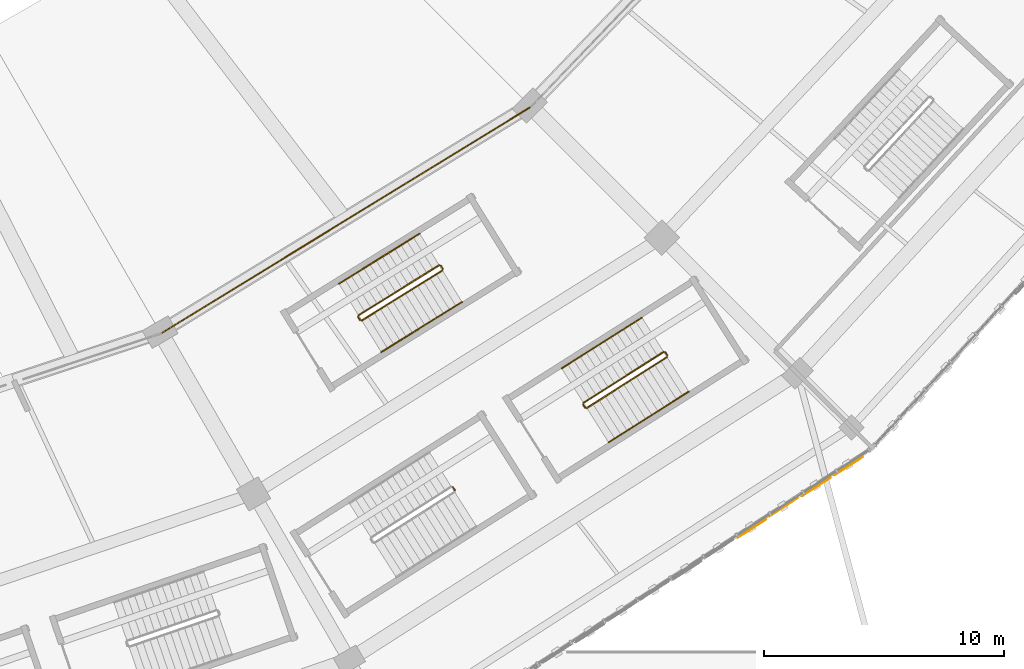
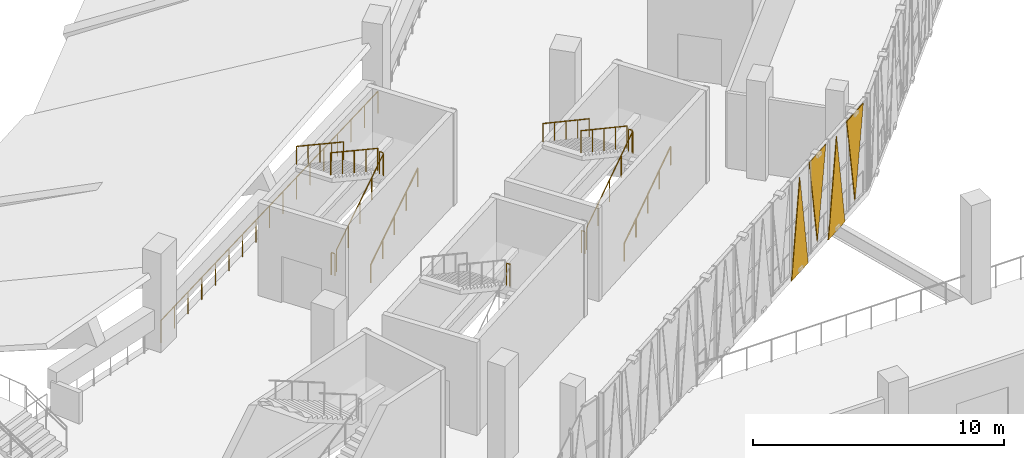
# One storey, part 147 of 183: 14 railings, 4 coverings.
"""IFC4 building model written with IfcOpenShell, lengths in metres."""

from ifc_helpers import new_model, si_unit, direction, frame, origin, origin_2d, place, context, subcontext, project, spatial, polyline, circle, outline, extrude, material, layer, layer_set, type_object, element, save


model = new_model("IFC4")

# Units and contexts
model_context = context("Model", 3, precision=1e-05, world=origin(), true_north=direction((0.0, 1.0)))
body_context = subcontext(model_context, "Body", "Model", "MODEL_VIEW")
ifc_project = project(units=[si_unit("LENGTHUNIT", "METRE"), si_unit("AREAUNIT", "SQUARE_METRE"), si_unit("VOLUMEUNIT", "CUBIC_METRE"), si_unit("PLANEANGLEUNIT", "RADIAN"), si_unit("MASSUNIT", "GRAM", prefix="KILO")], contexts=[model_context])

# Site, building, storey
site_placement = place(None, origin())
site = spatial("IfcSite", under=ifc_project, at=site_placement, CompositionType="ELEMENT")
building_placement = place(site_placement, origin())
building = spatial("IfcBuilding", under=site, at=building_placement, Name="Zevraka Park Crest Stadium", CompositionType="ELEMENT")
storey_placement = place(building_placement, frame((0.0, 0.0, 5.39990234375)))
storey = spatial("IfcBuildingStorey", under=building, at=storey_placement, Name="L01", CompositionType="ELEMENT", Elevation=5.39990234375)

# Coverings
ifc_material_1 = material(Name="Architectural golden-bronze perforated aluminium", Category="aluminium")
ifc_layer = layer(ifc_material_1, 0.034912109375)
ifc_layer_set = layer_set([ifc_layer], Name="Architectural golden-bronze perforated aluminium")
covering_type = type_object("IfcCoveringType", Name="CLD01", PredefinedType="CLADDING", material=ifc_layer_set)
covering_1_placement = place(storey_placement, frame((173.3291015625, 31.887939453125, -0.260009765625), z_axis=(-0.54280331046, 0.839859848522, 3.1531317e-05), x_axis=(0.83985984894, 0.54280331073, 0.0)))
element("IfcCovering", 1, at=covering_1_placement, inside=storey, type_object=covering_type, Name="Triangular Golden-Bronze Perforated Cladding L01-20-11", PredefinedType="CLADDING", context=body_context, shape_type="SweptSolid", body=[
    extrude(outline(polyline([(0.0, 0.0), (1.4464839003003545, -3.3881317890172014e-21), (0.7225668216542449, -4.600097658536764), (0.0, 0.0)])), origin(), (0.0, 0.0, -1.0), 0.034912109375),
])
covering_2_placement = place(storey_placement, frame((175.89208984375, 33.54296875, 4.5), z_axis=(0.542438505233, -0.840095511218, 8.489932e-06), x_axis=(-0.840095511248, -0.542438505252, 0.0)))
element("IfcCovering", 2, at=covering_2_placement, inside=storey, type_object=covering_type, Name="Triangular Golden-Bronze Perforated Cladding L01-20-12", PredefinedType="CLADDING", context=body_context, shape_type="SweptSolid", body=[
    extrude(outline(polyline([(0.0, 0.0), (1.4452063031746218, 8.470329472543003e-22), (0.722771917946747, 4.279785156404241), (0.0, 0.0)])), origin(), (0.0, 0.0, -1.0), 0.034912109375),
])
covering_3_placement = place(storey_placement, frame((176.02587890625, 33.6298828125, -0.260009765625), z_axis=(-0.542557713864, 0.840018527724, 1.4397562e-05), x_axis=(0.840018527811, 0.542557713921, 0.0)))
element("IfcCovering", 3, at=covering_3_placement, inside=storey, type_object=covering_type, Name="Triangular Golden-Bronze Perforated Cladding L01-20-13", PredefinedType="CLADDING", context=body_context, shape_type="SweptSolid", body=[
    extrude(outline(polyline([(0.0, 0.0), (1.4453387490028242, 1.6940658945086007e-21), (0.7227719158256077, -4.600097656726777), (0.0, 0.0)])), origin(), (0.0, 0.0, -1.0), 0.034912109375),
])
covering_4_placement = place(storey_placement, frame((178.589111328125, 35.284912109375, 4.5), z_axis=(-0.54243850483, 0.840095510595, 3.9433372e-05), x_axis=(-0.840095511248, -0.542438505252, 0.0)))
element("IfcCovering", 4, at=covering_4_placement, inside=storey, type_object=covering_type, Name="Triangular Golden-Bronze Perforated Cladding L01-20-14", PredefinedType="CLADDING", context=body_context, shape_type="SweptSolid", body=[
    extrude(outline(polyline([(0.0, 0.0), (1.4452063031746218, 0.0), (0.7226394866710507, -4.279785159577513), (0.0, 0.0)])), origin(), (0.0, 0.0, -1.0), 0.034912109375),
])

# Railings
ifc_material_2 = material(Name="Galvanised and bronze-finished steel balustrade", Category="steel")
railing_type_1 = type_object("IfcRailingType", Name="GR01", PredefinedType="GUARDRAIL", material=ifc_material_2)
railing_1_placement = place(storey_placement, frame((149.2890625, 40.4130859375, 0.0)))
element("IfcRailing", 5, at=railing_1_placement, inside=storey, type_object=railing_type_1, Name="Deck Edge Protection Guardrail GR01 L01-69", PredefinedType="GUARDRAIL", context=body_context, shape_type="SweptSolid", body=[
    extrude(circle(Radius=0.02392578125, at=origin_2d()), frame((0.0, 0.0, 1.076171875), z_axis=(0.852607262071, 0.522552252569, 0.0), x_axis=(-0.522552252569, 0.852607262071, 0.0)), (0.0, 0.0, 1.0), 18.099609375),
    extrude(circle(Radius=0.02099609375, at=origin_2d()), origin(), (0.0, 0.0, 1.0), 1.052001953125),
    extrude(circle(Radius=0.02099609375, at=origin_2d()), frame((0.964599609375, 0.591064453125, 0.0)), (0.0, 0.0, 1.0), 1.052001953125),
    extrude(circle(Radius=0.02099609375, at=origin_2d()), frame((1.928955078125, 1.18212890625, 0.0)), (0.0, 0.0, 1.0), 1.052001953125),
    extrude(circle(Radius=0.02099609375, at=origin_2d()), frame((2.8935546875, 1.7734375, 0.0)), (0.0, 0.0, 1.0), 1.052001953125),
    extrude(circle(Radius=0.02099609375, at=origin_2d()), frame((3.85791015625, 2.364501953125, 0.0)), (0.0, 0.0, 1.0), 1.052001953125),
    extrude(circle(Radius=0.02099609375, at=origin_2d()), frame((4.822509765625, 2.95556640625, 0.0)), (0.0, 0.0, 1.0), 1.052001953125),
    extrude(circle(Radius=0.02099609375, at=origin_2d()), frame((5.786865234375, 3.546875, 0.0)), (0.0, 0.0, 1.0), 1.052001953125),
    extrude(circle(Radius=0.02099609375, at=origin_2d()), frame((6.75146484375, 4.137939453125, 0.0)), (0.0, 0.0, 1.0), 1.052001953125),
    extrude(circle(Radius=0.02099609375, at=origin_2d()), frame((7.7158203125, 4.72900390625, 0.0)), (0.0, 0.0, 1.0), 1.052001953125),
    extrude(circle(Radius=0.02099609375, at=origin_2d()), frame((8.680419921875, 5.320068359375, 0.0)), (0.0, 0.0, 1.0), 1.052001953125),
    extrude(circle(Radius=0.02099609375, at=origin_2d()), frame((9.64501953125, 5.9111328125, 0.0)), (0.0, 0.0, 1.0), 1.052001953125),
    extrude(circle(Radius=0.02099609375, at=origin_2d()), frame((10.609375, 6.50244140625, 0.0)), (0.0, 0.0, 1.0), 1.052001953125),
    extrude(circle(Radius=0.02099609375, at=origin_2d()), frame((11.573974609375, 7.093505859375, 0.0)), (0.0, 0.0, 1.0), 1.052001953125),
    extrude(circle(Radius=0.02099609375, at=origin_2d()), frame((12.538330078125, 7.6845703125, 0.0)), (0.0, 0.0, 1.0), 1.052001953125),
    extrude(circle(Radius=0.02099609375, at=origin_2d()), frame((13.5029296875, 8.27587890625, 0.0)), (0.0, 0.0, 1.0), 1.052001953125),
    extrude(circle(Radius=0.02099609375, at=origin_2d()), frame((14.46728515625, 8.866943359375, 0.0)), (0.0, 0.0, 1.0), 1.052001953125),
    extrude(circle(Radius=0.02099609375, at=origin_2d()), frame((15.431884765625, 9.4580078125, 0.0)), (0.0, 0.0, 1.0), 1.052001953125),
])
ifc_material_3 = material(Name="Powder-coated tubular steel stairwell guard", Category="steel")
railing_type_2 = type_object("IfcRailingType", Name="GR03", PredefinedType="GUARDRAIL", material=ifc_material_3)
railing_2_placement = place(storey_placement, frame((161.557861328125, 33.8681640625, 2.400146484375)))
element("IfcRailing", 6, at=railing_2_placement, inside=storey, type_object=railing_type_2, Name="L01 ST21 stair guard 2", PredefinedType="GUARDRAIL", context=body_context, shape_type="SweptSolid", body=[
    extrude(circle(Radius=0.02392578125, at=origin_2d()), frame((0.0, 0.0, 1.076171875), z_axis=(-0.535887230789, 0.844289568736, 0.0), x_axis=(-0.844289568736, -0.535887230789, 0.0)), (0.0, 0.0, 1.0), 0.159912109375),
    extrude(circle(Radius=0.02099609375, at=origin_2d()), origin(), (0.0, 0.0, 1.0), 1.052001953125),
    extrude(circle(Radius=0.02099609375, at=origin_2d()), frame((-0.085693359375, 0.135009765625, 0.0)), (0.0, 0.0, 1.0), 1.052001953125),
])
railing_3_placement = place(storey_placement, frame((167.060546875, 37.300048828125, 0.171630859375)))
element("IfcRailing", 7, at=railing_3_placement, inside=storey, type_object=railing_type_2, Name="L01 ST32 stair guard 1", PredefinedType="GUARDRAIL", context=body_context, shape_type="SweptSolid", body=[
    extrude(circle(Radius=0.02392578125, at=origin_2d()), frame((0.0, 0.0, 1.076171875), z_axis=(0.736092217986, 0.467002282249, 0.489976647398), x_axis=(-0.535715535947, 0.844398522349, 0.0)), (0.0, 0.0, 1.0), 4.548095703125),
    extrude(circle(Radius=0.02099609375, at=origin_2d()), origin(), (0.0, 0.0, 1.0), 1.052001953125),
    extrude(circle(Radius=0.02099609375, at=origin_2d()), frame((0.8369140625, 0.531005859375, 0.55712890625)), (0.0, 0.0, 1.0), 1.052001953125),
    extrude(circle(Radius=0.02099609375, at=origin_2d()), frame((1.673828125, 1.06201171875, 1.1142578125)), (0.0, 0.0, 1.0), 1.052001953125),
    extrude(circle(Radius=0.02099609375, at=origin_2d()), frame((2.510986328125, 1.593017578125, 1.67138671875)), (0.0, 0.0, 1.0), 1.052001953125),
    extrude(circle(Radius=0.02099609375, at=origin_2d()), frame((3.347900390625, 2.1240234375, 2.228515625)), (0.0, 0.0, 1.0), 1.052001953125),
])
railing_4_placement = place(storey_placement, frame((170.424072265625, 39.4931640625, 2.400146484375)))
element("IfcRailing", 8, at=railing_4_placement, inside=storey, type_object=railing_type_2, Name="L01 ST32 stair guard 2", PredefinedType="GUARDRAIL", context=body_context, shape_type="SweptSolid", body=[
    extrude(circle(Radius=0.02392578125, at=origin_2d()), frame((0.0, 0.0, 1.076171875), z_axis=(-0.536974197011, 0.843598667463, 0.0), x_axis=(-0.843598667463, -0.536974197011, 0.0)), (0.0, 0.0, 1.0), 0.16015625),
    extrude(circle(Radius=0.02099609375, at=origin_2d()), origin(), (0.0, 0.0, 1.0), 1.052001953125),
    extrude(circle(Radius=0.02099609375, at=origin_2d()), frame((-0.0859375, 0.135009765625, 0.0)), (0.0, 0.0, 1.0), 1.052001953125),
])
railing_5_placement = place(storey_placement, frame((170.269287109375, 39.6435546875, 2.571533203125)))
element("IfcRailing", 9, at=railing_5_placement, inside=storey, type_object=railing_type_2, Name="L01 ST32 stair guard 3", PredefinedType="GUARDRAIL", context=body_context, shape_type="SweptSolid", body=[
    extrude(circle(Radius=0.02392578125, at=origin_2d()), frame((0.0, 0.0, 1.076171875), z_axis=(-0.736116810277, -0.466983830349, 0.48995728775), x_axis=(0.535687682518, -0.84441619288, 0.0)), (0.0, 0.0, 1.0), 4.54833984375),
    extrude(circle(Radius=0.02099609375, at=origin_2d()), origin(), (0.0, 0.0, 1.0), 1.052001953125),
    extrude(circle(Radius=0.02099609375, at=origin_2d()), frame((-0.8369140625, -0.531005859375, 0.55712890625)), (0.0, 0.0, 1.0), 1.052001953125),
    extrude(circle(Radius=0.02099609375, at=origin_2d()), frame((-1.674072265625, -1.06201171875, 1.1142578125)), (0.0, 0.0, 1.0), 1.052001953125),
    extrude(circle(Radius=0.02099609375, at=origin_2d()), frame((-2.51123046875, -1.593017578125, 1.67138671875)), (0.0, 0.0, 1.0), 1.052001953125),
    extrude(circle(Radius=0.02099609375, at=origin_2d()), frame((-3.34814453125, -2.1240234375, 2.228515625)), (0.0, 0.0, 1.0), 1.052001953125),
])
railing_6_placement = place(storey_placement, frame((166.991455078125, 37.3154296875, 0.0)))
element("IfcRailing", 10, at=railing_6_placement, inside=storey, type_object=railing_type_2, Name="L01 ST32 stair guard 4", PredefinedType="GUARDRAIL", context=body_context, shape_type="SweptSolid", body=[
    extrude(circle(Radius=0.02392578125, at=origin_2d()), frame((0.0, 0.0, 1.076171875), z_axis=(-0.535887230789, 0.844289568736, 0.0), x_axis=(-0.844289568736, -0.535887230789, 0.0)), (0.0, 0.0, 1.0), 0.159912109375),
    extrude(circle(Radius=0.02099609375, at=origin_2d()), origin(), (0.0, 0.0, 1.0), 1.052001953125),
    extrude(circle(Radius=0.02099609375, at=origin_2d()), frame((-0.085693359375, 0.135009765625, 0.0)), (0.0, 0.0, 1.0), 1.052001953125),
])
railing_7_placement = place(storey_placement, frame((157.666015625, 40.952392578125, 0.171630859375)))
element("IfcRailing", 11, at=railing_7_placement, inside=storey, type_object=railing_type_2, Name="L01 ST43 stair guard 1", PredefinedType="GUARDRAIL", context=body_context, shape_type="SweptSolid", body=[
    extrude(circle(Radius=0.02392578125, at=origin_2d()), frame((0.0, 0.0, 1.076171875), z_axis=(0.740731720597, 0.459629400252, 0.489956459827), x_axis=(-0.527250968468, 0.849709607013, 0.0)), (0.0, 0.0, 1.0), 4.54833984375),
    extrude(circle(Radius=0.02099609375, at=origin_2d()), origin(), (0.0, 0.0, 1.0), 1.052001953125),
    extrude(circle(Radius=0.02099609375, at=origin_2d()), frame((0.84228515625, 0.522705078125, 0.55712890625)), (0.0, 0.0, 1.0), 1.052001953125),
    extrude(circle(Radius=0.02099609375, at=origin_2d()), frame((1.6845703125, 1.04541015625, 1.1142578125)), (0.0, 0.0, 1.0), 1.052001953125),
    extrude(circle(Radius=0.02099609375, at=origin_2d()), frame((2.52685546875, 1.56787109375, 1.67138671875)), (0.0, 0.0, 1.0), 1.052001953125),
    extrude(circle(Radius=0.02099609375, at=origin_2d()), frame((3.369140625, 2.090576171875, 2.228515625)), (0.0, 0.0, 1.0), 1.052001953125),
])
railing_8_placement = place(storey_placement, frame((161.05126953125, 43.11181640625, 2.400146484375)))
element("IfcRailing", 12, at=railing_8_placement, inside=storey, type_object=railing_type_2, Name="L01 ST43 stair guard 2", PredefinedType="GUARDRAIL", context=body_context, shape_type="SweptSolid", body=[
    extrude(circle(Radius=0.02392578125, at=origin_2d()), frame((0.0, 0.0, 1.076171875), z_axis=(-0.527666528588, 0.849451608161, 0.0), x_axis=(-0.849451608161, -0.527666528588, 0.0)), (0.0, 0.0, 1.0), 0.16015625),
    extrude(circle(Radius=0.02099609375, at=origin_2d()), origin(), (0.0, 0.0, 1.0), 1.052001953125),
    extrude(circle(Radius=0.02099609375, at=origin_2d()), frame((-0.08447265625, 0.135986328125, 0.0)), (0.0, 0.0, 1.0), 1.052001953125),
])
railing_9_placement = place(storey_placement, frame((160.89794921875, 43.263916015625, 2.571533203125)))
element("IfcRailing", 13, at=railing_9_placement, inside=storey, type_object=railing_type_2, Name="L01 ST43 stair guard 3", PredefinedType="GUARDRAIL", context=body_context, shape_type="SweptSolid", body=[
    extrude(circle(Radius=0.02392578125, at=origin_2d()), frame((0.0, 0.0, 1.076171875), z_axis=(-0.740707494191, -0.459647675394, 0.489975940791), x_axis=(0.527278555037, -0.849692488726, 0.0)), (0.0, 0.0, 1.0), 4.548095703125),
    extrude(circle(Radius=0.02099609375, at=origin_2d()), origin(), (0.0, 0.0, 1.0), 1.052001953125),
    extrude(circle(Radius=0.02099609375, at=origin_2d()), frame((-0.84228515625, -0.522705078125, 0.55712890625)), (0.0, 0.0, 1.0), 1.052001953125),
    extrude(circle(Radius=0.02099609375, at=origin_2d()), frame((-1.6845703125, -1.04541015625, 1.1142578125)), (0.0, 0.0, 1.0), 1.052001953125),
    extrude(circle(Radius=0.02099609375, at=origin_2d()), frame((-2.526611328125, -1.56787109375, 1.67138671875)), (0.0, 0.0, 1.0), 1.052001953125),
    extrude(circle(Radius=0.02099609375, at=origin_2d()), frame((-3.368896484375, -2.090576171875, 2.228515625)), (0.0, 0.0, 1.0), 1.052001953125),
])
railing_10_placement = place(storey_placement, frame((157.59716796875, 40.968505859375, 0.0)))
element("IfcRailing", 14, at=railing_10_placement, inside=storey, type_object=railing_type_2, Name="L01 ST43 stair guard 4", PredefinedType="GUARDRAIL", context=body_context, shape_type="SweptSolid", body=[
    extrude(circle(Radius=0.02392578125, at=origin_2d()), frame((0.0, 0.0, 1.076171875), z_axis=(-0.526564774069, 0.850135012048, 0.0), x_axis=(-0.850135012048, -0.526564774069, 0.0)), (0.0, 0.0, 1.0), 0.159912109375),
    extrude(circle(Radius=0.02099609375, at=origin_2d()), origin(), (0.0, 0.0, 1.0), 1.052001953125),
    extrude(circle(Radius=0.02099609375, at=origin_2d()), frame((-0.084228515625, 0.135986328125, 0.0)), (0.0, 0.0, 1.0), 1.052001953125),
])
ifc_material_4 = material(Name="Brushed stainless steel continuous handrail", Category="steel")
railing_type_3 = type_object("IfcRailingType", Name="HR01", PredefinedType="HANDRAIL", material=ifc_material_4)
railing_11_placement = place(storey_placement, frame((167.97119140625, 35.864501953125, 0.171630859375)))
element("IfcRailing", 15, at=railing_11_placement, inside=storey, type_object=railing_type_3, Name="L01 ST32 stair handrail 1", PredefinedType="HANDRAIL", context=body_context, shape_type="SweptSolid", body=[
    extrude(circle(Radius=0.02392578125, at=origin_2d()), frame((0.0, 0.0, 0.8759765625), z_axis=(0.736116810277, 0.466983830349, 0.48995728775), x_axis=(-0.535687682518, 0.84441619288, 0.0)), (0.0, 0.0, 1.0), 4.54833984375),
    extrude(circle(Radius=0.02099609375, at=origin_2d()), origin(), (0.0, 0.0, 1.0), 0.851806640625),
    extrude(circle(Radius=0.02099609375, at=origin_2d()), frame((0.8369140625, 0.531005859375, 0.55712890625)), (0.0, 0.0, 1.0), 0.851806640625),
    extrude(circle(Radius=0.02099609375, at=origin_2d()), frame((1.674072265625, 1.06201171875, 1.1142578125)), (0.0, 0.0, 1.0), 0.851806640625),
    extrude(circle(Radius=0.02099609375, at=origin_2d()), frame((2.51123046875, 1.593017578125, 1.67138671875)), (0.0, 0.0, 1.0), 0.851806640625),
    extrude(circle(Radius=0.02099609375, at=origin_2d()), frame((3.34814453125, 2.1240234375, 2.228515625)), (0.0, 0.0, 1.0), 0.851806640625),
])
railing_12_placement = place(storey_placement, frame((169.3583984375, 41.0791015625, 2.571533203125)))
element("IfcRailing", 16, at=railing_12_placement, inside=storey, type_object=railing_type_3, Name="L01 ST32 stair handrail 2", PredefinedType="HANDRAIL", context=body_context, shape_type="SweptSolid", body=[
    extrude(circle(Radius=0.02392578125, at=origin_2d()), frame((0.0, 0.0, 0.8759765625), z_axis=(-0.736092217986, -0.467002282249, 0.489976647398), x_axis=(0.535715535947, -0.844398522349, 0.0)), (0.0, 0.0, 1.0), 4.548095703125),
    extrude(circle(Radius=0.02099609375, at=origin_2d()), origin(), (0.0, 0.0, 1.0), 0.851806640625),
    extrude(circle(Radius=0.02099609375, at=origin_2d()), frame((-0.8369140625, -0.531005859375, 0.55712890625)), (0.0, 0.0, 1.0), 0.851806640625),
    extrude(circle(Radius=0.02099609375, at=origin_2d()), frame((-1.673828125, -1.06201171875, 1.1142578125)), (0.0, 0.0, 1.0), 0.851806640625),
    extrude(circle(Radius=0.02099609375, at=origin_2d()), frame((-2.510986328125, -1.593017578125, 1.67138671875)), (0.0, 0.0, 1.0), 0.851806640625),
    extrude(circle(Radius=0.02099609375, at=origin_2d()), frame((-3.347900390625, -2.1240234375, 2.228515625)), (0.0, 0.0, 1.0), 0.851806640625),
])
railing_13_placement = place(storey_placement, frame((158.4833984375, 39.63525390625, 0.171630859375)))
element("IfcRailing", 17, at=railing_13_placement, inside=storey, type_object=railing_type_3, Name="L01 ST43 stair handrail 1", PredefinedType="HANDRAIL", context=body_context, shape_type="SweptSolid", body=[
    extrude(circle(Radius=0.02392578125, at=origin_2d()), frame((0.0, 0.0, 0.8759765625), z_axis=(0.740713445492, 0.459671735304, 0.489944371772), x_axis=(-0.527295422519, 0.849682021341, 0.0)), (0.0, 0.0, 1.0), 4.548583984375),
    extrude(circle(Radius=0.02099609375, at=origin_2d()), origin(), (0.0, 0.0, 1.0), 0.851806640625),
    extrude(circle(Radius=0.02099609375, at=origin_2d()), frame((0.84228515625, 0.522705078125, 0.55712890625)), (0.0, 0.0, 1.0), 0.851806640625),
    extrude(circle(Radius=0.02099609375, at=origin_2d()), frame((1.6845703125, 1.04541015625, 1.1142578125)), (0.0, 0.0, 1.0), 0.851806640625),
    extrude(circle(Radius=0.02099609375, at=origin_2d()), frame((2.52685546875, 1.568115234375, 1.67138671875)), (0.0, 0.0, 1.0), 0.851806640625),
    extrude(circle(Radius=0.02099609375, at=origin_2d()), frame((3.369140625, 2.0908203125, 2.228515625)), (0.0, 0.0, 1.0), 0.851806640625),
])
railing_14_placement = place(storey_placement, frame((160.080810546875, 44.5810546875, 2.571533203125)))
element("IfcRailing", 18, at=railing_14_placement, inside=storey, type_object=railing_type_3, Name="L01 ST43 stair handrail 2", PredefinedType="HANDRAIL", context=body_context, shape_type="SweptSolid", body=[
    extrude(circle(Radius=0.02392578125, at=origin_2d()), frame((0.0, 0.0, 0.8759765625), z_axis=(-0.740713445492, -0.459671735304, 0.489944371772), x_axis=(0.527295422519, -0.849682021341, 0.0)), (0.0, 0.0, 1.0), 4.548583984375),
    extrude(circle(Radius=0.02099609375, at=origin_2d()), origin(), (0.0, 0.0, 1.0), 0.851806640625),
    extrude(circle(Radius=0.02099609375, at=origin_2d()), frame((-0.84228515625, -0.522705078125, 0.55712890625)), (0.0, 0.0, 1.0), 0.851806640625),
    extrude(circle(Radius=0.02099609375, at=origin_2d()), frame((-1.6845703125, -1.04541015625, 1.1142578125)), (0.0, 0.0, 1.0), 0.851806640625),
    extrude(circle(Radius=0.02099609375, at=origin_2d()), frame((-2.52685546875, -1.568115234375, 1.67138671875)), (0.0, 0.0, 1.0), 0.851806640625),
    extrude(circle(Radius=0.02099609375, at=origin_2d()), frame((-3.369140625, -2.0908203125, 2.228515625)), (0.0, 0.0, 1.0), 0.851806640625),
])

save(model, "model.ifc")
